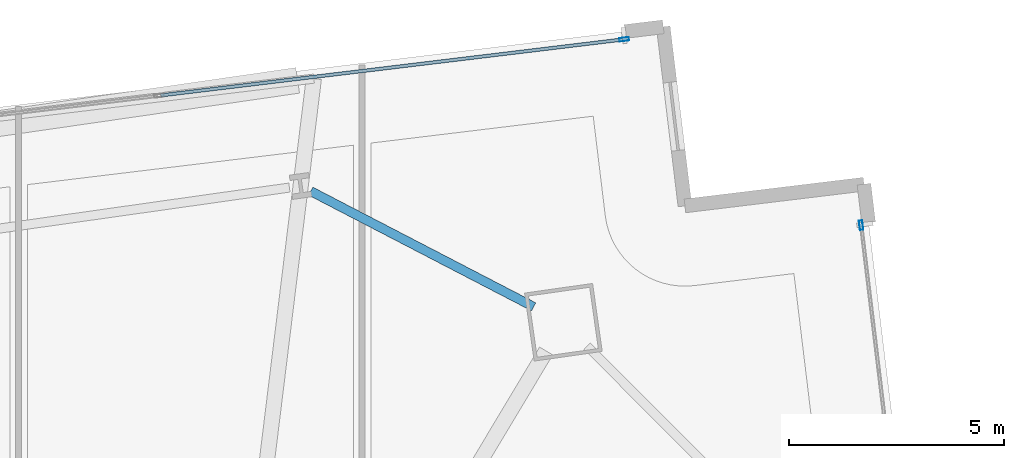
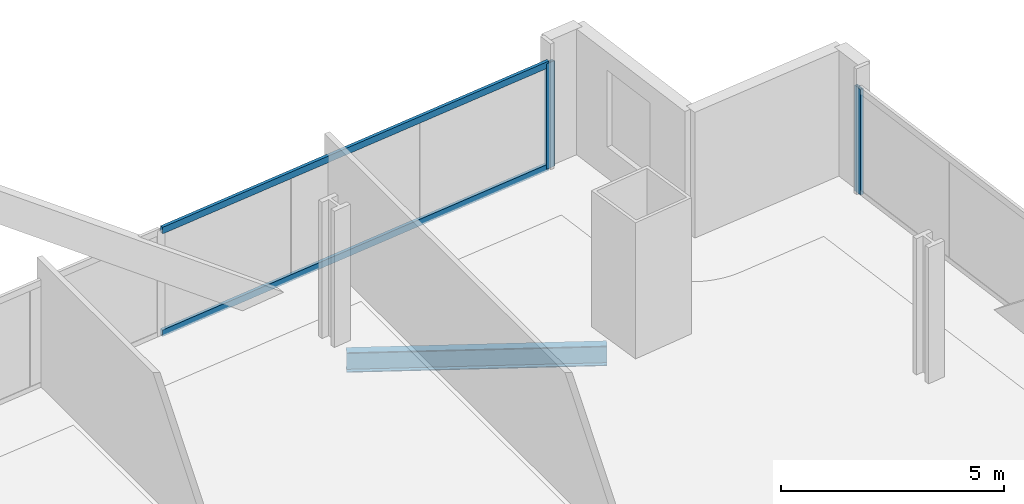
# One storey, part 23 of 33: 4 members, 1 beam, 2 elements without a shape of their own.
"""IFC4 building model written with IfcOpenShell, lengths in metres."""

from ifc_helpers import new_model, si_unit, direction, frame, origin, origin_2d, place, context, subcontext, project, spatial, hollow_rectangle, i_section, extrude, material, material_profile, profile_set, type_object, element, aggregate, save


model = new_model("IFC4")

# Units and contexts
model_context = context("Model", 3, precision=1e-05, world=origin(), true_north=direction((0.0, 1.0)))
body_context = subcontext(model_context, "Body", "Model", "MODEL_VIEW")
ifc_project = project(units=[si_unit("LENGTHUNIT", "METRE"), si_unit("AREAUNIT", "SQUARE_METRE"), si_unit("VOLUMEUNIT", "CUBIC_METRE"), si_unit("PLANEANGLEUNIT", "RADIAN"), si_unit("MASSUNIT", "GRAM", prefix="KILO")], contexts=[model_context])

# Site, building, storey
site_placement = place(None, origin())
site = spatial("IfcSite", under=ifc_project, at=site_placement, CompositionType="ELEMENT")
building_placement = place(site_placement, origin())
building = spatial("IfcBuilding", under=site, at=building_placement, Name="Haldenkirk Collegiate Tower", CompositionType="ELEMENT")
storey_placement = place(building_placement, frame((0.0, 0.0, 51.449951171875)))
storey = spatial("IfcBuildingStorey", under=building, at=storey_placement, Name="L11", CompositionType="ELEMENT", Elevation=51.449951171875)

# Beam
ifc_material_1 = material(Name="Steel ASTM A992 Grade 50", Category="steel")
ifc_material_profile_1 = material_profile(ifc_material_1, i_section(OverallWidth=0.2119140625, OverallDepth=0.5439453125, WebThickness=0.01318359375, FlangeThickness=0.021240234375, at=origin_2d()), Name="W21X83")
ifc_profile_set_1 = profile_set([ifc_material_profile_1], Name="Steel ASTM A992 Grade 50")
beam_type = type_object("IfcBeamType", Name="BM-SPANDREL-W21X83", PredefinedType="SPANDREL", material=ifc_profile_set_1)
beam_placement = place(storey_placement, frame((52.4921875, 48.029296875, -0.58203125), z_axis=(-0.887648364794, 0.460521856678, 0.0), x_axis=(-0.460521856678, -0.887648364794, 0.0)))
element("IfcBeam", 1, at=beam_placement, inside=storey, type_object=beam_type, Name="L11 perimeter spandrel beam 09", PredefinedType="SPANDREL", context=body_context, shape_type="SweptSolid", body=[
    extrude(i_section(OverallWidth=0.2119140625, OverallDepth=0.5439453125, WebThickness=0.01318359375, FlangeThickness=0.021240234375, at=origin_2d()), origin(), (0.0, 0.0, 1.0), 5.848388671875),
])

# Curtain wall, member
ifc_material_2 = material(Name="Anodised architectural bronze aluminium", Category="aluminium")
curtain_wall_type = type_object("IfcCurtainWallType", Name="CW-SYS1-CONVEX-LOW", PredefinedType="USERDEFINED", material=ifc_material_2)
curtain_wall_1_placement = place(storey_placement, origin())
curtain_wall_1 = element("IfcCurtainWall", 2, at=curtain_wall_1_placement, inside=storey, type_object=curtain_wall_type, Name="L11 Lower tower convex bronze-framed unitised curtain wall", ObjectType="UNITISED CURTAIN WALL", PredefinedType="USERDEFINED")
ifc_material_profile_2 = material_profile(ifc_material_2, hollow_rectangle(XDim=0.080078125, YDim=0.219970703125, WallThickness=0.0048828125, at=origin_2d()), Name="CW-MUL-1A")
ifc_profile_set_2 = profile_set([ifc_material_profile_2], Name="Anodised architectural bronze aluminium")
member_type_1 = type_object("IfcMemberType", Name="CW-MUL-1A", PredefinedType="MULLION", material=ifc_profile_set_2)
member_1_placement = place(storey_placement, frame((60.11962890625, 49.930908203125, 0.0), z_axis=(0.0, 0.0, 1.0), x_axis=(0.992757292466, 0.120137247576, 0.0)))
member_1 = element("IfcMember", 3, at=member_1_placement, type_object=member_type_1, Name="CW-1A mullion 1", PredefinedType="MULLION", context=body_context, shape_type="SweptSolid", body=[
    extrude(hollow_rectangle(XDim=0.080078125, YDim=0.219970703125, WallThickness=0.0048828125, at=origin_2d()), origin(), (0.0, 0.0, 1.0), 2.89111328125),
])
aggregate(curtain_wall_1, [member_1])

# Curtain wall, members
curtain_wall_2_placement = place(storey_placement, origin())
curtain_wall_2 = element("IfcCurtainWall", 4, at=curtain_wall_2_placement, inside=storey, type_object=curtain_wall_type, Name="L11 Lower tower convex bronze-framed unitised curtain wall", ObjectType="UNITISED CURTAIN WALL", PredefinedType="USERDEFINED")
member_2_placement = place(storey_placement, frame((54.599609375, 54.25927734375, 0.0), z_axis=(0.0, 0.0, 1.0), x_axis=(-0.120137179083, 0.992757300755, 0.0)))
member_2 = element("IfcMember", 5, at=member_2_placement, type_object=member_type_1, Name="CW-1A mullion 5", PredefinedType="MULLION", context=body_context, shape_type="SweptSolid", body=[
    extrude(hollow_rectangle(XDim=0.080078125, YDim=0.219970703125, WallThickness=0.0048828125, at=origin_2d()), origin(), (0.0, 0.0, 1.0), 2.89111328125),
])
ifc_material_profile_3 = material_profile(ifc_material_2, hollow_rectangle(XDim=0.080078125, YDim=0.179931640625, WallThickness=0.0048828125, at=origin_2d()), Name="CW-TRN-1A")
ifc_profile_set_3 = profile_set([ifc_material_profile_3], Name="Anodised architectural bronze aluminium")
member_type_2 = type_object("IfcMemberType", Name="CW-TRN-1A", PredefinedType="USERDEFINED", material=ifc_profile_set_3)
member_3_placement = place(storey_placement, frame((43.808349609375, 52.953369140625, 0.0400390625), z_axis=(0.992758160788, 0.120130071955, 0.0), x_axis=(-0.120130071955, 0.992758160788, 0.0)))
member_3 = element("IfcMember", 6, at=member_3_placement, type_object=member_type_2, Name="CW-1A transom 4.1", ObjectType="TRANSOM", PredefinedType="USERDEFINED", context=body_context, shape_type="SweptSolid", body=[
    extrude(hollow_rectangle(XDim=0.080078125, YDim=0.179931640625, WallThickness=0.0048828125, at=origin_2d()), origin(), (0.0, 0.0, 1.0), 10.830078125),
])
member_4_placement = place(storey_placement, frame((43.808349609375, 52.953369140625, 2.85107421875), z_axis=(0.992758160788, 0.120130071955, 0.0), x_axis=(-0.120130071955, 0.992758160788, 0.0)))
member_4 = element("IfcMember", 7, at=member_4_placement, type_object=member_type_2, Name="CW-1A transom 4.2", ObjectType="TRANSOM", PredefinedType="USERDEFINED", context=body_context, shape_type="SweptSolid", body=[
    extrude(hollow_rectangle(XDim=0.080078125, YDim=0.179931640625, WallThickness=0.0048828125, at=origin_2d()), origin(), (0.0, 0.0, 1.0), 10.830078125),
])
aggregate(curtain_wall_2, [member_2, member_3, member_4])

save(model, "model.ifc")
